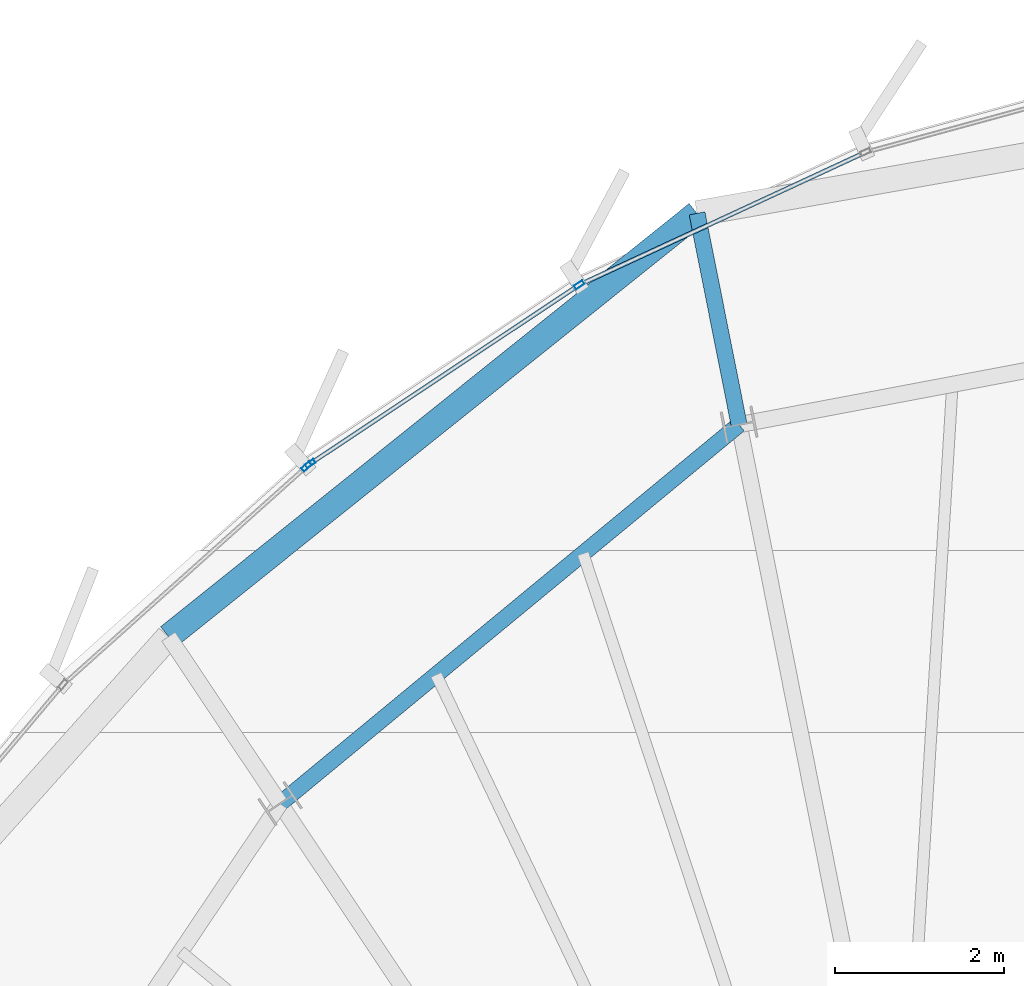
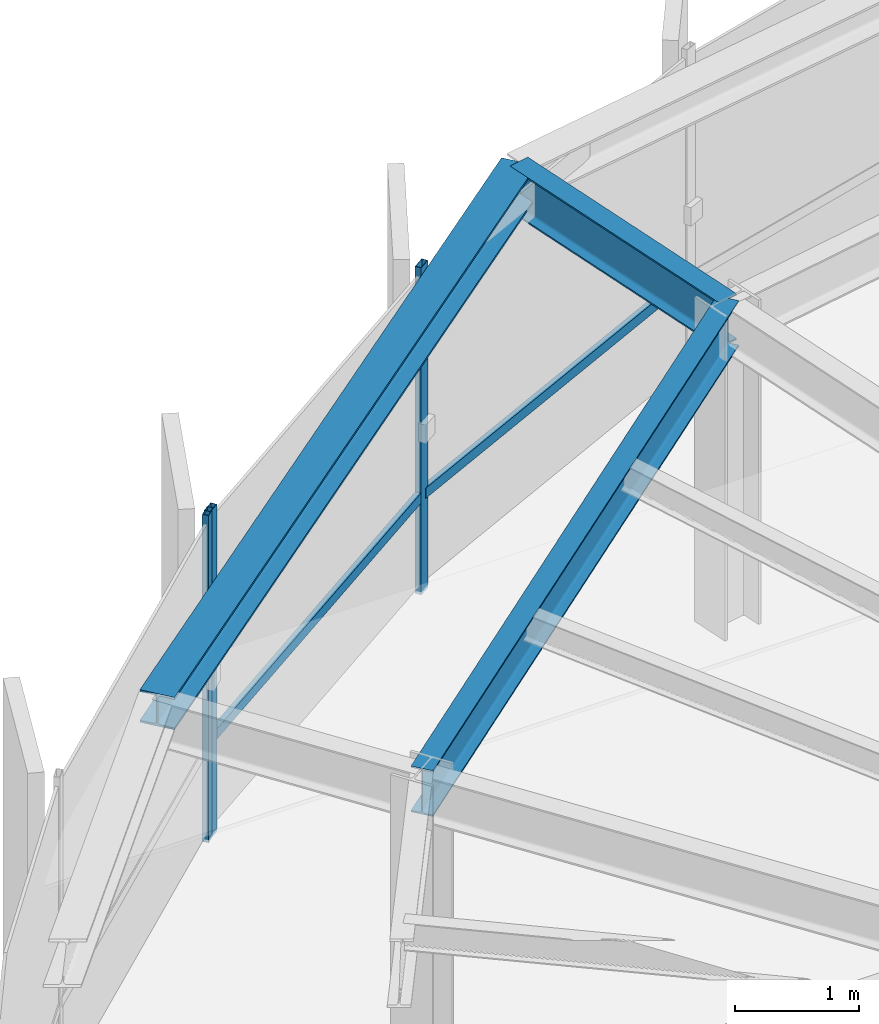
# One storey, part 19 of 31: 5 members, 3 beams, 2 elements without a shape of their own.
"""IFC4 building model written with IfcOpenShell, lengths in metres."""

from ifc_helpers import new_model, si_unit, direction, frame, origin, origin_2d, place, context, subcontext, project, spatial, hollow_rectangle, i_section, extrude, source, transform, mapped, material, layer, layer_set, material_profile, profile_set, type_object, element, aggregate, save


model = new_model("IFC4")

# Units and contexts
model_context = context("Model", 3, precision=1e-05, world=origin(), true_north=direction((0.0, 1.0)))
body_context = subcontext(model_context, "Body", "Model", "MODEL_VIEW")
ifc_project = project(units=[si_unit("LENGTHUNIT", "METRE"), si_unit("AREAUNIT", "SQUARE_METRE"), si_unit("VOLUMEUNIT", "CUBIC_METRE"), si_unit("PLANEANGLEUNIT", "RADIAN"), si_unit("MASSUNIT", "GRAM", prefix="KILO"), si_unit("THERMODYNAMICTEMPERATUREUNIT", "KELVIN")], contexts=[model_context])

# Site, building, storey
site_placement = place(None, origin())
site = spatial("IfcSite", under=ifc_project, at=site_placement, CompositionType="ELEMENT")
building_placement = place(site_placement, origin())
building = spatial("IfcBuilding", under=site, at=building_placement, Name="Kethvar Cultural Tower", CompositionType="ELEMENT")
storey_placement = place(building_placement, frame((0.0, 0.0, 283.60009765625)))
storey = spatial("IfcBuildingStorey", under=building, at=storey_placement, Name="L75", CompositionType="ELEMENT", Elevation=283.60009765625)

# Beams
ifc_material_1 = material(Name="Steel S355J2", Category="steel")
ifc_material_profile_1 = material_profile(ifc_material_1, i_section(OverallWidth=0.18994140625, OverallDepth=0.449951171875, WebThickness=0.009521484375, FlangeThickness=0.0146484375, FilletRadius=0.02099609375, at=origin_2d()), Name="Steel S355J2 — IPE450")
ifc_profile_set_1 = profile_set([ifc_material_profile_1], Name="Steel S355J2 — IPE450")
beam_type_1 = type_object("IfcBeamType", Name="BM-IPE450", PredefinedType="BEAM", material=ifc_profile_set_1)
shared_shape_1 = source(origin(), body_context, "Body", "SweptSolid", [
    extrude(i_section(OverallWidth=0.18994140625, OverallDepth=0.449951171875, WebThickness=0.009521484375, FlangeThickness=0.0146484375, FilletRadius=0.02099609375, at=origin_2d()), origin(), (0.0, 0.0, 1.0), 7.03271484375),
])
beam_1_placement = place(storey_placement, frame((43.23291015625, 45.732421875, 2.98291015625), z_axis=(-0.771161072103, -0.636640087391, 0.0), x_axis=(0.636640087391, -0.771161072103, 0.0)))
element("IfcBeam", 1, at=beam_1_placement, inside=storey, type_object=beam_type_1, Name="L75 Column Ring Tie Beam CR-05", PredefinedType="BEAM", context=body_context, shape_type="MappedRepresentation", body=[
    mapped(shared_shape_1, transform((0.0, 0.0, 0.0), scale=1.0)),
])
shared_shape_2 = source(origin(), body_context, "Body", "SweptSolid", [
    extrude(i_section(OverallWidth=0.18994140625, OverallDepth=0.449951171875, WebThickness=0.009521484375, FlangeThickness=0.0146484375, FilletRadius=0.02099609375, at=origin_2d()), origin(), (0.0, 0.0, 1.0), 2.54541015625),
])
beam_2_placement = place(storey_placement, frame((43.23291015625, 45.732421875, 2.98291015625), z_axis=(-0.19508313778, 0.980786709409, 0.0), x_axis=(-0.980786709409, -0.19508313778, 0.0)))
element("IfcBeam", 2, at=beam_2_placement, inside=storey, type_object=beam_type_1, Name="L75 Perimeter Cantilever Beam RC-05", PredefinedType="BEAM", context=body_context, shape_type="MappedRepresentation", body=[
    mapped(shared_shape_2, transform((0.0, 0.0, 0.0), scale=1.0)),
])
ifc_material_profile_2 = material_profile(ifc_material_1, i_section(OverallWidth=0.300048828125, OverallDepth=0.320068359375, WebThickness=0.011474609375, FlangeThickness=0.0205078125, FilletRadius=0.027099609375, at=origin_2d()), Name="Steel S355J2 — HEB320")
ifc_profile_set_2 = profile_set([ifc_material_profile_2], Name="Steel S355J2 — HEB320")
beam_type_2 = type_object("IfcBeamType", Name="BM-SP320", PredefinedType="SPANDREL", material=ifc_profile_set_2)
shared_shape_3 = source(origin(), body_context, "Body", "SweptSolid", [
    extrude(i_section(OverallWidth=0.300048828125, OverallDepth=0.320068359375, WebThickness=0.011474609375, FlangeThickness=0.0205078125, FilletRadius=0.027099609375, at=origin_2d()), origin(), (0.0, 0.0, 1.0), 8.000732421875),
])
beam_3_placement = place(storey_placement, frame((42.736328125, 48.22900390625, 3.0478515625), z_axis=(-0.780517389215, -0.625134069726, 0.0), x_axis=(0.625134069726, -0.780517389215, 0.0)))
element("IfcBeam", 3, at=beam_3_placement, inside=storey, type_object=beam_type_2, Name="L75 Perimeter Spandrel Beam SP-05", PredefinedType="SPANDREL", context=body_context, shape_type="MappedRepresentation", body=[
    mapped(shared_shape_3, transform((0.0, 0.0, 0.0), scale=1.0)),
])

# Curtain wall, members
ifc_material_2 = material(Name="Aluminium 6063-T6", Category="aluminium")
ifc_layer = layer(ifc_material_2, 0.179931640625, Name="Aluminium 6063-T6", Category="aluminium")
ifc_layer_set = layer_set([ifc_layer], Name="Aluminium 6063-T6 (180 mm)")
curtain_wall_type = type_object("IfcCurtainWallType", Name="CW-SYS-05-Z56", PredefinedType="NOTDEFINED", material=ifc_layer_set)
curtain_wall_1_placement = place(storey_placement, origin())
curtain_wall_1 = element("IfcCurtainWall", 4, at=curtain_wall_1_placement, inside=storey, type_object=curtain_wall_type, Name="L75 Curtain Wall Run 01", PredefinedType="NOTDEFINED")
ifc_material_profile_3 = material_profile(ifc_material_2, hollow_rectangle(XDim=0.054931640625, YDim=0.1201171875, WallThickness=0.00390625, at=origin_2d()), Name="Aluminium 6063-T6 — RHS120x55x4")
ifc_profile_set_3 = profile_set([ifc_material_profile_3], Name="Aluminium 6063-T6 — RHS120x55x4")
member_type_1 = type_object("IfcMemberType", Name="CW-SYS-05-Z56-MUL", PredefinedType="MULLION", material=ifc_profile_set_3)
shared_shape_4 = source(origin(), body_context, "Body", "SweptSolid", [
    extrude(hollow_rectangle(XDim=0.054931640625, YDim=0.1201171875, WallThickness=0.00390625, at=origin_2d()), origin(), (0.0, 0.0, 1.0), 3.2099609375),
])
member_1_placement = place(storey_placement, frame((41.34423828125, 47.384521484375, 0.0), z_axis=(0.0, 0.0, 1.0), x_axis=(0.553638657588, -0.832757009472, 0.0)))
member_1 = element("IfcMember", 5, at=member_1_placement, type_object=member_type_1, Name="CW-L75-R01 Mullion 6", PredefinedType="MULLION", context=body_context, shape_type="MappedRepresentation", body=[
    mapped(shared_shape_4, transform((0.0, 0.0, 0.0), scale=1.0)),
])
member_2_placement = place(storey_placement, frame((38.16650390625, 45.27197265625, 0.0), z_axis=(0.0, 0.0, 1.0), x_axis=(0.553638657588, -0.832757009472, 0.0)))
member_2 = element("IfcMember", 6, at=member_2_placement, type_object=member_type_1, Name="CW-L75-R01 Mullion 7", PredefinedType="MULLION", context=body_context, shape_type="MappedRepresentation", body=[
    mapped(shared_shape_4, transform((0.0, 0.0, 0.0), scale=1.0)),
])

# Curtain wall, member
curtain_wall_2_placement = place(storey_placement, origin())
curtain_wall_2 = element("IfcCurtainWall", 7, at=curtain_wall_2_placement, inside=storey, type_object=curtain_wall_type, Name="L75 Curtain Wall Run 02", PredefinedType="NOTDEFINED")
member_3_placement = place(storey_placement, frame((38.12158203125, 45.237060546875, 0.0), z_axis=(0.0, 0.0, 1.0), x_axis=(0.667286767232, -0.744800893043, 0.0)))
member_3 = element("IfcMember", 8, at=member_3_placement, type_object=member_type_1, Name="CW-L75-R02 Mullion 1", PredefinedType="MULLION", context=body_context, shape_type="MappedRepresentation", body=[
    mapped(shared_shape_4, transform((0.0, 0.0, 0.0), scale=1.0)),
])
aggregate(curtain_wall_2, [member_3])

# Member
ifc_material_profile_4 = material_profile(ifc_material_2, hollow_rectangle(XDim=0.050048828125, YDim=0.10009765625, WallThickness=0.00390625, at=origin_2d()), Name="Aluminium 6063-T6 — RHS100x50x4")
ifc_profile_set_4 = profile_set([ifc_material_profile_4], Name="Aluminium 6063-T6 — RHS100x50x4")
member_type_2 = type_object("IfcMemberType", Name="CW-SYS-05-Z56-TRN", PredefinedType="USERDEFINED", material=ifc_profile_set_4)
shared_shape_5 = source(origin(), body_context, "Body", "SweptSolid", [
    extrude(hollow_rectangle(XDim=0.050048828125, YDim=0.10009765625, WallThickness=0.00390625, at=origin_2d()), origin(), (0.0, 0.0, 1.0), 3.664306640625),
])
member_4_placement = place(storey_placement, frame((44.691162109375, 48.935302734375, 0.949951171875), z_axis=(-0.907205187216, -0.420688421862, 0.0), x_axis=(0.420688421862, -0.907205187216, 0.0)))
member_4 = element("IfcMember", 9, at=member_4_placement, type_object=member_type_2, Name="CW-L75-R01 Transom 5", ObjectType="TRANSOM", PredefinedType="USERDEFINED", context=body_context, shape_type="MappedRepresentation", body=[
    mapped(shared_shape_5, transform((0.0, 0.0, 0.0), scale=1.0)),
])

shared_shape_6 = source(origin(), body_context, "Body", "SweptSolid", [
    extrude(hollow_rectangle(XDim=0.050048828125, YDim=0.10009765625, WallThickness=0.00390625, at=origin_2d()), origin(), (0.0, 0.0, 1.0), 3.772216796875),
])
member_5_placement = place(storey_placement, frame((41.311279296875, 47.362548828125, 0.949951171875), z_axis=(-0.832736671017, -0.553669248508, 0.0), x_axis=(0.553669248508, -0.832736671017, 0.0)))
member_5 = element("IfcMember", 10, at=member_5_placement, type_object=member_type_2, Name="CW-L75-R01 Transom 6", ObjectType="TRANSOM", PredefinedType="USERDEFINED", context=body_context, shape_type="MappedRepresentation", body=[
    mapped(shared_shape_6, transform((0.0, 0.0, 0.0), scale=1.0)),
])

aggregate(curtain_wall_1, [member_1, member_2, member_4, member_5])

save(model, "model.ifc")
